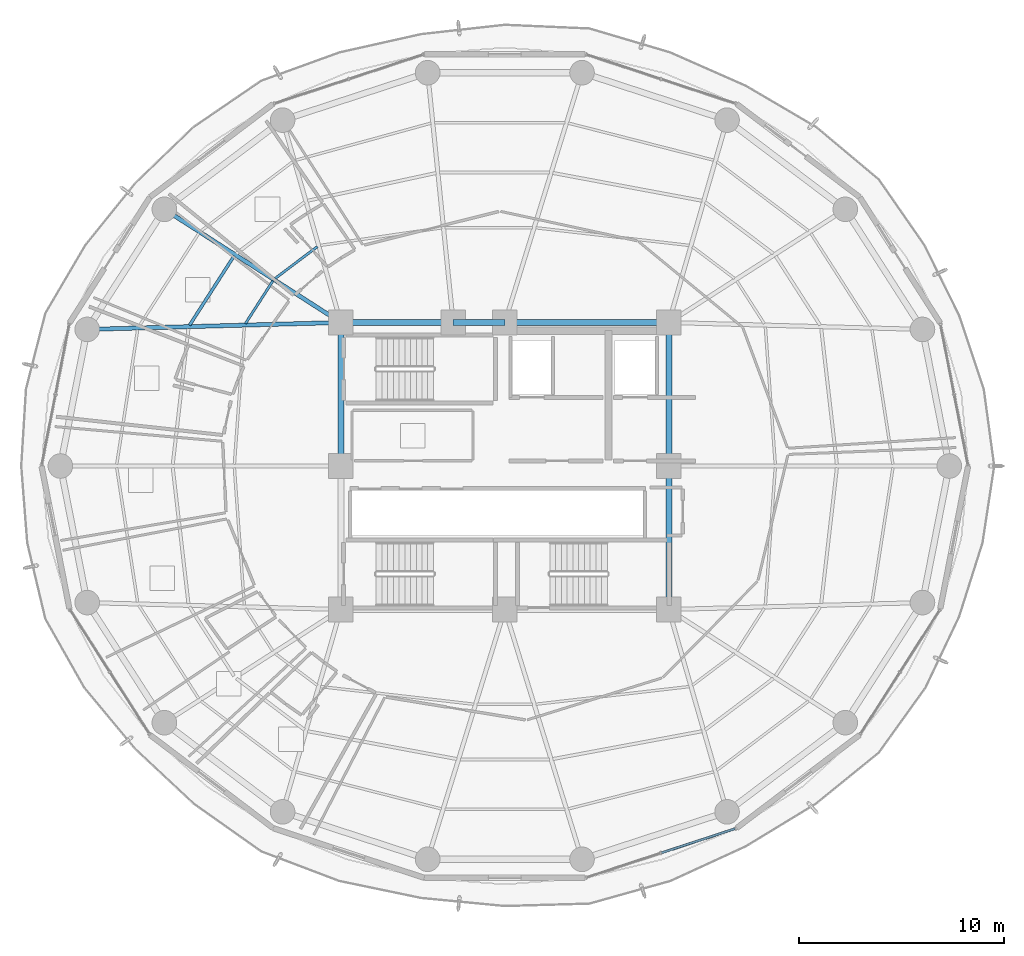
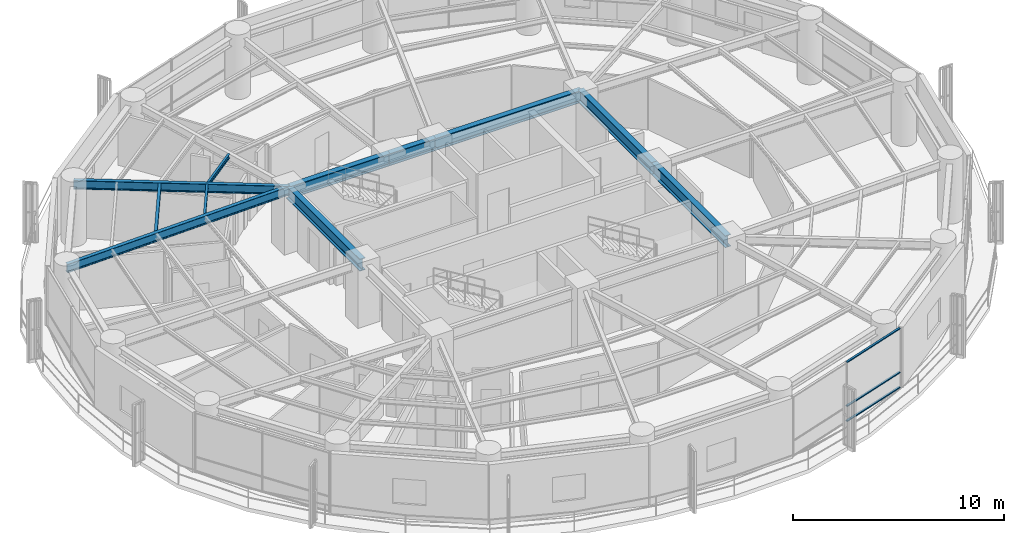
# One storey, part 9 of 28: 11 beams, 3 members, 1 element without a shape of its own.
"""IFC4 building model written with IfcOpenShell, lengths in metres."""

import ifcopenshell
import ifcopenshell.guid

model = None  # the IFC model being written
_history = None  # IfcOwnerHistory: only IFC2X3 demands one
_inside = {}  # id of a spatial element -> (the spatial element, [elements in it])
_under = {}  # id of a project, library or spatial element -> (it, [spatial elements below it])
_declared = {}  # id of a project -> (the project, [libraries it declares])
_typed = {}  # id of a type object -> (the type object, [elements of that type])
_made_of = {}  # id of a material, layer set ... -> (it, [elements and type objects made of it])


def new_model(schema):
    """Start an empty IFC model of exactly this schema.

    Asked for "IFC4X3", IfcOpenShell would pick the latest addendum, in which some entities
    have other attributes; the version numbers below select the first issue.
    IFC2X3 requires an IfcOwnerHistory on every rooted entity: one is made here for all.
    """
    global model, _history
    if schema == "IFC4X3":
        model = ifcopenshell.file(schema_version=(4, 3, 0, 0))
    else:
        model = ifcopenshell.file(schema=schema)
    _inside.clear()
    _under.clear()
    _declared.clear()
    _typed.clear()
    _made_of.clear()
    _history = None
    if model.schema == "IFC2X3":
        org = make("IfcOrganization", Name="unknown")
        user = make(
            "IfcPersonAndOrganization",
            ThePerson=make("IfcPerson", FamilyName="unknown"),
            TheOrganization=org,
        )
        app = make(
            "IfcApplication",
            ApplicationDeveloper=org,
            Version="unknown",
            ApplicationFullName="unknown",
            ApplicationIdentifier="unknown",
        )
        _history = make(
            "IfcOwnerHistory",
            OwningUser=user,
            OwningApplication=app,
            ChangeAction="ADDED",
            CreationDate=0,
        )
    return model


def make(cls, **values):
    """One entity of the class cls with the attributes given. An attribute that is None is left unset."""
    return model.create_entity(
        cls, **{name: value for name, value in values.items() if value is not None}
    )


def rooted(cls, **values):
    """An entity with a GlobalId (a new one), such as an element, a storey or a relation."""
    return make(cls, GlobalId=ifcopenshell.guid.new(), OwnerHistory=_history, **values)


def si_unit(unit_type, name, prefix=None):
    """IfcSIUnit, for example si_unit("LENGTHUNIT", "METRE", prefix="MILLI")."""
    return make("IfcSIUnit", UnitType=unit_type, Prefix=prefix, Name=name)


def assignment(units):
    """IfcUnitAssignment: the units of a project."""
    return None if units is None else make("IfcUnitAssignment", Units=units)


def point(xyz):
    """IfcCartesianPoint."""
    return None if xyz is None else make("IfcCartesianPoint", Coordinates=xyz)


def direction(xyz):
    """IfcDirection."""
    return None if xyz is None else make("IfcDirection", DirectionRatios=xyz)


def frame(location, z_axis=None, x_axis=None):
    """IfcAxis2Placement3D, a coordinate frame: its origin and axes. An axis left out is left unset."""
    return make(
        "IfcAxis2Placement3D",
        Location=point(location),
        Axis=direction(z_axis),
        RefDirection=direction(x_axis),
    )


def frame_2d(location, x_axis=None):
    """IfcAxis2Placement2D, a coordinate frame in the plane: its origin and x axis."""
    return make(
        "IfcAxis2Placement2D", Location=point(location), RefDirection=direction(x_axis)
    )


def origin():
    """The frame at (0, 0, 0) with its axes left unset."""
    return frame((0.0, 0.0, 0.0))


def origin_2d():
    """The frame at (0, 0) in the plane with its x axis left unset."""
    return frame_2d((0.0, 0.0))


def place(relative_to, where):
    """IfcLocalPlacement: puts the frame where relative to a parent placement (None: the world)."""
    return make(
        "IfcLocalPlacement", PlacementRelTo=relative_to, RelativePlacement=where
    )


def context(
    kind, dimensions, precision=None, world=None, true_north=None, identifier=None
):
    """IfcGeometricRepresentationContext, for example the 3D "Model" context."""
    return make(
        "IfcGeometricRepresentationContext",
        ContextIdentifier=identifier,
        ContextType=kind,
        CoordinateSpaceDimension=dimensions,
        Precision=precision,
        WorldCoordinateSystem=world,
        TrueNorth=true_north,
    )


def subcontext(parent, identifier, kind, view, scale=None):
    """IfcGeometricRepresentationSubContext, for example "Body" below "Model"."""
    return make(
        "IfcGeometricRepresentationSubContext",
        ContextIdentifier=identifier,
        ContextType=kind,
        ParentContext=parent,
        TargetScale=scale,
        TargetView=view,
    )


def project(units=None, contexts=None):
    """IfcProject with its units and contexts."""
    return rooted(
        "IfcProject",
        Name="project",
        RepresentationContexts=contexts,
        UnitsInContext=assignment(units),
    )


def spatial(cls, under=None, at=None, **own):
    """A site, building, storey or space (cls), placed at a placement, below another one or the project."""
    s = rooted(cls, ObjectPlacement=at, **own)
    if under is not None:
        _under.setdefault(under.id(), (under, []))[1].append(s)
    return s


def profile(cls, at=None, kind="AREA", **sizes):
    """A parametric profile (cls). Its sizes go by their IFC names, for example OverallWidth=200.0."""
    return make(cls, ProfileType=kind, Position=at, **sizes)


def hollow_rectangle(**sizes):
    """IfcRectangleHollowProfileDef."""
    return profile("IfcRectangleHollowProfileDef", **sizes)


def i_section(**sizes):
    """IfcIShapeProfileDef."""
    return profile("IfcIShapeProfileDef", **sizes)


def extrude(swept, where, along, depth):
    """IfcExtrudedAreaSolid: the profile swept, set in the frame where, extruded along a direction by depth."""
    return make(
        "IfcExtrudedAreaSolid",
        SweptArea=swept,
        Position=where,
        ExtrudedDirection=direction(along),
        Depth=depth,
    )


def shape(context_of_items, identifier, shape_type, items):
    """IfcShapeRepresentation: the items that make up one representation, for example the "Body"."""
    return make(
        "IfcShapeRepresentation",
        ContextOfItems=context_of_items,
        RepresentationIdentifier=identifier,
        RepresentationType=shape_type,
        Items=items,
    )


def material(Name=None, Category=None):
    """IfcMaterial."""
    return make("IfcMaterial", Name=Name, Category=Category)


def layer(
    of_material, thickness, ventilated=None, Name=None, Category=None, Priority=None
):
    """IfcMaterialLayer: one layer of a wall or slab, of a material (None: an air gap)."""
    return make(
        "IfcMaterialLayer",
        Material=of_material,
        LayerThickness=thickness,
        IsVentilated=ventilated,
        Name=Name,
        Category=Category,
        Priority=Priority,
    )


def layer_set(layers, Name=None):
    """IfcMaterialLayerSet."""
    return make("IfcMaterialLayerSet", MaterialLayers=layers, LayerSetName=Name)


def material_profile(
    of_material, cross_section, Name=None, Category=None, Priority=None
):
    """IfcMaterialProfile: a cross section and its material."""
    return make(
        "IfcMaterialProfile",
        Name=Name,
        Material=of_material,
        Profile=cross_section,
        Priority=Priority,
        Category=Category,
    )


def profile_set(profiles, Name=None, composite=None):
    """IfcMaterialProfileSet."""
    return make(
        "IfcMaterialProfileSet",
        Name=Name,
        MaterialProfiles=profiles,
        CompositeProfile=composite,
    )


def made_of(thing, what):
    """Note that an element or type object is made of a material, layer set ...; save() writes the relation."""
    if what is not None:
        _made_of.setdefault(what.id(), (what, []))[1].append(thing)
    return thing


def type_object(cls, material=None, **own):
    """A type object (cls), such as IfcWallType, which elements share."""
    return made_of(rooted(cls, **own), material)


def element(
    cls,
    number,
    at=None,
    inside=None,
    cuts=None,
    type_object=None,
    material=None,
    context=None,
    identifier="Body",
    shape_type=None,
    held_by="IfcProductDefinitionShape",
    body=None,
    shapes=None,
    **own,
):
    """One element of the class cls, such as IfcWall. Its Tag is "e" and its number.

    at: its placement. inside: the storey or other place that contains it. cuts: it is an
    opening in that element (IfcRelVoidsElement). A single representation is given by context,
    identifier, shape_type and body (its items); several are given by shapes. held_by: the class
    of the entity that holds the representations. save() writes the other relations.
    """
    e = rooted(cls, Tag="e%d" % number, ObjectPlacement=at, **own)
    if body is not None:
        shapes = [shape(context, identifier, shape_type, body)]
    if shapes is not None:
        e.Representation = make(held_by, Representations=shapes)
    if inside is not None:
        _inside.setdefault(inside.id(), (inside, []))[1].append(e)
    if cuts is not None:
        rooted(
            "IfcRelVoidsElement", RelatingBuildingElement=cuts, RelatedOpeningElement=e
        )
    if type_object is not None:
        _typed.setdefault(type_object.id(), (type_object, []))[1].append(e)
    return made_of(e, material)


def aggregate(whole, parts):
    """IfcRelAggregates: a whole, such as a stair, and the parts it consists of."""
    return rooted("IfcRelAggregates", RelatingObject=whole, RelatedObjects=parts)


def save(model, path):
    """Write the relations noted so far, then the file.

    IfcRelAggregates (storeys below a building ...), IfcRelContainedInSpatialStructure (elements
    in a storey), IfcRelDefinesByType, IfcRelAssociatesMaterial and IfcRelDeclares: one each for
    every whole, place, type object, material and project.
    """
    for whole, parts in _under.values():
        aggregate(whole, parts)
    for where, things in _inside.values():
        rooted(
            "IfcRelContainedInSpatialStructure",
            RelatedElements=things,
            RelatingStructure=where,
        )
    for kind, things in _typed.values():
        rooted("IfcRelDefinesByType", RelatedObjects=things, RelatingType=kind)
    for what, things in _made_of.values():
        rooted("IfcRelAssociatesMaterial", RelatedObjects=things, RelatingMaterial=what)
    for by, libraries in _declared.values():
        rooted("IfcRelDeclares", RelatingContext=by, RelatedDefinitions=libraries)
    model.write(path)


model = new_model("IFC4")

# Units and contexts
model_context = context("Model", 3, precision=1e-05, world=origin(), true_north=direction((0.0, 1.0)))
body_context = subcontext(model_context, "Body", "Model", "MODEL_VIEW")
ifc_project = project(units=[si_unit("LENGTHUNIT", "METRE"), si_unit("AREAUNIT", "SQUARE_METRE"), si_unit("VOLUMEUNIT", "CUBIC_METRE"), si_unit("PLANEANGLEUNIT", "RADIAN"), si_unit("MASSUNIT", "GRAM", prefix="KILO")], contexts=[model_context])

# Site, building, storey
site_placement = place(None, origin())
site = spatial("IfcSite", under=ifc_project, at=site_placement, CompositionType="ELEMENT")
building_placement = place(site_placement, origin())
building = spatial("IfcBuilding", under=site, at=building_placement, Name="Kelanora Arch Commons", CompositionType="ELEMENT")
storey_placement = place(building_placement, frame((0.0, 0.0, 158.10009765625)))
storey = spatial("IfcBuildingStorey", under=building, at=storey_placement, Name="L40", CompositionType="ELEMENT", Elevation=158.10009765625)

# Beams
ifc_material_1 = material(Name="Steel S355", Category="steel")
ifc_material_profile_1 = material_profile(ifc_material_1, i_section(OverallWidth=0.300048828125, OverallDepth=0.699951171875, WebThickness=0.01708984375, FlangeThickness=0.031982421875, FilletRadius=0.027099609375, at=origin_2d()), Name="HEB700")
ifc_profile_set_1 = profile_set([ifc_material_profile_1], Name="Steel S355")
beam_type_1 = type_object("IfcBeamType", Name="BM-CORE-HDR", PredefinedType="BEAM", material=ifc_profile_set_1)
for number, where, z_axis, x_axis, name in (
    (1, (82.0, 51.0, 3.139892578125), (0.0, 1.0, 0.0), (-1.0, 0.0, 0.0), "Core Header Beam 03 L40"),
    (2, (82.0, 58.0, 3.139892578125), (0.0, 1.0, 0.0), (-1.0, 0.0, 0.0), "Core Header Beam 04 L40"),
):
    element("IfcBeam", number, at=place(storey_placement, frame(where, z_axis=z_axis, x_axis=x_axis)), inside=storey, type_object=beam_type_1, Name=name, PredefinedType="BEAM", context=body_context, shape_type="SweptSolid", body=[
        extrude(i_section(OverallWidth=0.300048828125, OverallDepth=0.699951171875, WebThickness=0.01708984375, FlangeThickness=0.031982421875, FilletRadius=0.027099609375, at=origin_2d()), origin(), (0.0, 0.0, 1.0), 7.0),
    ])
beam_1_placement = place(storey_placement, frame((82.0, 65.0, 3.139892578125), z_axis=(-1.0, 0.0, 0.0), x_axis=(0.0, -1.0, 0.0)))
element("IfcBeam", 3, at=beam_1_placement, inside=storey, type_object=beam_type_1, Name="Core Header Beam 05 L40", PredefinedType="BEAM", context=body_context, shape_type="SweptSolid", body=[
    extrude(i_section(OverallWidth=0.300048828125, OverallDepth=0.699951171875, WebThickness=0.01708984375, FlangeThickness=0.031982421875, FilletRadius=0.027099609375, at=origin_2d()), origin(), (0.0, 0.0, 1.0), 8.0),
])
beam_2_placement = place(storey_placement, frame((74.0, 65.0, 3.139892578125), z_axis=(-1.0, 0.0, 0.0), x_axis=(0.0, -1.0, 0.0)))
element("IfcBeam", 4, at=beam_2_placement, inside=storey, type_object=beam_type_1, Name="Core Header Beam 06 L40", PredefinedType="BEAM", context=body_context, shape_type="SweptSolid", body=[
    extrude(i_section(OverallWidth=0.300048828125, OverallDepth=0.699951171875, WebThickness=0.01708984375, FlangeThickness=0.031982421875, FilletRadius=0.027099609375, at=origin_2d()), origin(), (0.0, 0.0, 1.0), 2.52001953125),
])
beam_3_placement = place(storey_placement, frame((71.47998046875, 65.0, 3.139892578125), z_axis=(-1.0, 0.0, 0.0), x_axis=(0.0, -1.0, 0.0)))
element("IfcBeam", 5, at=beam_3_placement, inside=storey, type_object=beam_type_1, Name="Core Header Beam 07 L40", PredefinedType="BEAM", context=body_context, shape_type="SweptSolid", body=[
    extrude(i_section(OverallWidth=0.300048828125, OverallDepth=0.699951171875, WebThickness=0.01708984375, FlangeThickness=0.031982421875, FilletRadius=0.027099609375, at=origin_2d()), origin(), (0.0, 0.0, 1.0), 5.47998046875),
])
beam_4_placement = place(storey_placement, frame((66.0, 65.0, 3.139892578125), z_axis=(0.0, -1.0, 0.0), x_axis=(1.0, 0.0, 0.0)))
element("IfcBeam", 6, at=beam_4_placement, inside=storey, type_object=beam_type_1, Name="Core Header Beam 08 L40", PredefinedType="BEAM", context=body_context, shape_type="SweptSolid", body=[
    extrude(i_section(OverallWidth=0.300048828125, OverallDepth=0.699951171875, WebThickness=0.01708984375, FlangeThickness=0.031982421875, FilletRadius=0.027099609375, at=origin_2d()), origin(), (0.0, 0.0, 1.0), 7.0),
])
ifc_material_profile_2 = material_profile(ifc_material_1, i_section(OverallWidth=0.14990234375, OverallDepth=0.300048828125, WebThickness=0.007080078125, FlangeThickness=0.0107421875, FilletRadius=0.014892578125, at=origin_2d()), Name="IPE300")
ifc_profile_set_2 = profile_set([ifc_material_profile_2], Name="Steel S355")
beam_type_2 = type_object("IfcBeamType", Name="BM-JST-01", PredefinedType="JOIST", material=ifc_profile_set_2)
beam_5_placement = place(storey_placement, frame((60.789306640625, 68.241455078125, 3.33984375), z_axis=(-0.540594434398, -0.841283339606, 0.0), x_axis=(0.841283339606, -0.540594434398, 0.0)))
element("IfcBeam", 7, at=beam_5_placement, inside=storey, type_object=beam_type_2, Name="Secondary Chord Joist BJB-14 L40", PredefinedType="JOIST", context=body_context, shape_type="SweptSolid", body=[
    extrude(i_section(OverallWidth=0.14990234375, OverallDepth=0.300048828125, WebThickness=0.007080078125, FlangeThickness=0.0107421875, FilletRadius=0.014892578125, at=origin_2d()), origin(), (0.0, 0.0, 1.0), 4.008544921875),
])
ifc_material_profile_3 = material_profile(ifc_material_1, i_section(OverallWidth=0.1201171875, OverallDepth=0.239990234375, WebThickness=0.006103515625, FlangeThickness=0.009765625, FilletRadius=0.014892578125, at=origin_2d()), Name="IPE240")
ifc_profile_set_3 = profile_set([ifc_material_profile_3], Name="Steel S355")
beam_type_3 = type_object("IfcBeamType", Name="BM-JST-02", PredefinedType="JOIST", material=ifc_profile_set_3)
beam_6_placement = place(storey_placement, frame((64.852783203125, 68.699462890625, 3.369873046875), z_axis=(-0.798484118859, -0.602015873487, 0.0), x_axis=(0.602015873487, -0.798484118859, 0.0)))
element("IfcBeam", 8, at=beam_6_placement, inside=storey, type_object=beam_type_3, Name="Secondary Chord Joist BJA-12 L40", PredefinedType="JOIST", context=body_context, shape_type="SweptSolid", body=[
    extrude(i_section(OverallWidth=0.1201171875, OverallDepth=0.239990234375, WebThickness=0.006103515625, FlangeThickness=0.009765625, FilletRadius=0.014892578125, at=origin_2d()), origin(), (0.0, 0.0, 1.0), 2.57470703125),
])
beam_7_placement = place(storey_placement, frame((62.68310546875, 67.026611328125, 3.369873046875), z_axis=(-0.540583174025, -0.841290575224, 0.0), x_axis=(0.841290575224, -0.540583174025, 0.0)))
element("IfcBeam", 9, at=beam_7_placement, inside=storey, type_object=beam_type_3, Name="Secondary Chord Joist BJA-14 L40", PredefinedType="JOIST", context=body_context, shape_type="SweptSolid", body=[
    extrude(i_section(OverallWidth=0.1201171875, OverallDepth=0.239990234375, WebThickness=0.006103515625, FlangeThickness=0.009765625, FilletRadius=0.014892578125, at=origin_2d()), origin(), (0.0, 0.0, 1.0), 2.476318359375),
])
ifc_material_profile_4 = material_profile(ifc_material_1, i_section(OverallWidth=0.199951171875, OverallDepth=0.5, WebThickness=0.01025390625, FlangeThickness=0.01611328125, FilletRadius=0.02099609375, at=origin_2d()), Name="IPE500")
ifc_profile_set_4 = profile_set([ifc_material_profile_4], Name="Steel S355")
beam_type_4 = type_object("IfcBeamType", Name="BM-RAD-Z3", PredefinedType="BEAM", material=ifc_profile_set_4)
beam_8_placement = place(storey_placement, frame((66.0, 65.0, 3.239990234375), z_axis=(-0.841719465748, 0.539915123868, 0.0), x_axis=(-0.539915123868, -0.841719465748, 0.0)))
element("IfcBeam", 10, at=beam_8_placement, inside=storey, type_object=beam_type_4, Name="Radial Floor Girder BR-14 L40", PredefinedType="BEAM", context=body_context, shape_type="SweptSolid", body=[
    extrude(i_section(OverallWidth=0.199951171875, OverallDepth=0.5, WebThickness=0.01025390625, FlangeThickness=0.01611328125, FilletRadius=0.02099609375, at=origin_2d()), origin(), (0.0, 0.0, 1.0), 10.2265625),
])
beam_9_placement = place(storey_placement, frame((66.0, 65.0, 3.239990234375), z_axis=(-0.999628374924, -0.027260081577, 0.0), x_axis=(0.027260081577, -0.999628374924, 0.0)))
element("IfcBeam", 11, at=beam_9_placement, inside=storey, type_object=beam_type_4, Name="Radial Floor Girder BR-16 L40", PredefinedType="BEAM", context=body_context, shape_type="SweptSolid", body=[
    extrude(i_section(OverallWidth=0.199951171875, OverallDepth=0.5, WebThickness=0.01025390625, FlangeThickness=0.01611328125, FilletRadius=0.02099609375, at=origin_2d()), origin(), (0.0, 0.0, 1.0), 12.377197265625),
])

# Curtain wall, members
ifc_material_2 = material(Name="Terracotta ceramic-fritted low-E glass and aluminium", Category="masonry")
ifc_layer = layer(ifc_material_2, 0.175048828125)
ifc_layer_set = layer_set([ifc_layer], Name="Terracotta ceramic-fritted low-E glass and aluminium")
curtain_wall_type = type_object("IfcCurtainWallType", Name="CW-SYS-02", PredefinedType="NOTDEFINED", material=ifc_layer_set)
curtain_wall_placement = place(storey_placement, origin())
curtain_wall = element("IfcCurtainWall", 12, at=curtain_wall_placement, inside=storey, type_object=curtain_wall_type, Name="Unitised Curtain Wall L40-B14", PredefinedType="NOTDEFINED")
ifc_material_3 = material(Name="Powder-coated aluminium terracotta", Category="masonry")
ifc_material_profile_5 = material_profile(ifc_material_3, hollow_rectangle(XDim=0.1201171875, YDim=0.06005859375, WallThickness=0.0048828125, InnerFilletRadius=0.0048828125, OuterFilletRadius=0.010009765625, at=origin_2d()), Name="CWT120x60")
ifc_profile_set_5 = profile_set([ifc_material_profile_5], Name="Powder-coated aluminium terracotta")
member_type = type_object("IfcMemberType", Name="CWT-STD", PredefinedType="USERDEFINED", material=ifc_profile_set_5)
member_1_placement = place(storey_placement, frame((81.640625, 39.130859375, 0.02978515625), z_axis=(0.950051191155, 0.312094111104, 0.0), x_axis=(-0.312094111104, 0.950051191155, 0.0)))
member_1 = element("IfcMember", 13, at=member_1_placement, type_object=member_type, Name="CW-02 transom 2.1", ObjectType="TRANSOM", PredefinedType="USERDEFINED", context=body_context, shape_type="SweptSolid", body=[
    extrude(hollow_rectangle(XDim=0.1201171875, YDim=0.06005859375, WallThickness=0.0048828125, InnerFilletRadius=0.0048828125, OuterFilletRadius=0.010009765625, at=origin_2d()), origin(), (0.0, 0.0, 1.0), 3.77685546875),
])
member_2_placement = place(storey_placement, frame((81.640625, 39.130859375, 0.89990234375), z_axis=(0.950051191155, 0.312094111104, 0.0), x_axis=(-0.312094111104, 0.950051191155, 0.0)))
member_2 = element("IfcMember", 14, at=member_2_placement, type_object=member_type, Name="CW-02 transom 2.2", ObjectType="TRANSOM", PredefinedType="USERDEFINED", context=body_context, shape_type="SweptSolid", body=[
    extrude(hollow_rectangle(XDim=0.1201171875, YDim=0.06005859375, WallThickness=0.0048828125, InnerFilletRadius=0.0048828125, OuterFilletRadius=0.010009765625, at=origin_2d()), origin(), (0.0, 0.0, 1.0), 3.77685546875),
])
member_3_placement = place(storey_placement, frame((81.640625, 39.130859375, 3.44482421875), z_axis=(0.950051191155, 0.312094111104, 0.0), x_axis=(-0.312094111104, 0.950051191155, 0.0)))
member_3 = element("IfcMember", 15, at=member_3_placement, type_object=member_type, Name="CW-02 transom 2.3", ObjectType="TRANSOM", PredefinedType="USERDEFINED", context=body_context, shape_type="SweptSolid", body=[
    extrude(hollow_rectangle(XDim=0.1201171875, YDim=0.06005859375, WallThickness=0.0048828125, InnerFilletRadius=0.0048828125, OuterFilletRadius=0.010009765625, at=origin_2d()), origin(), (0.0, 0.0, 1.0), 3.77685546875),
])
aggregate(curtain_wall, [member_1, member_2, member_3])

save(model, "model.ifc")
